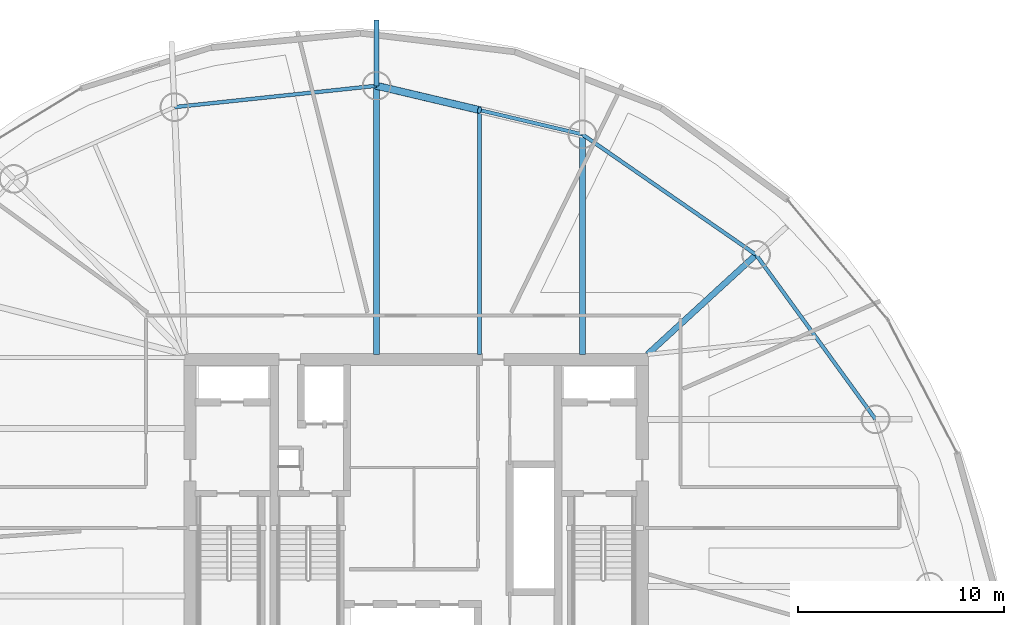
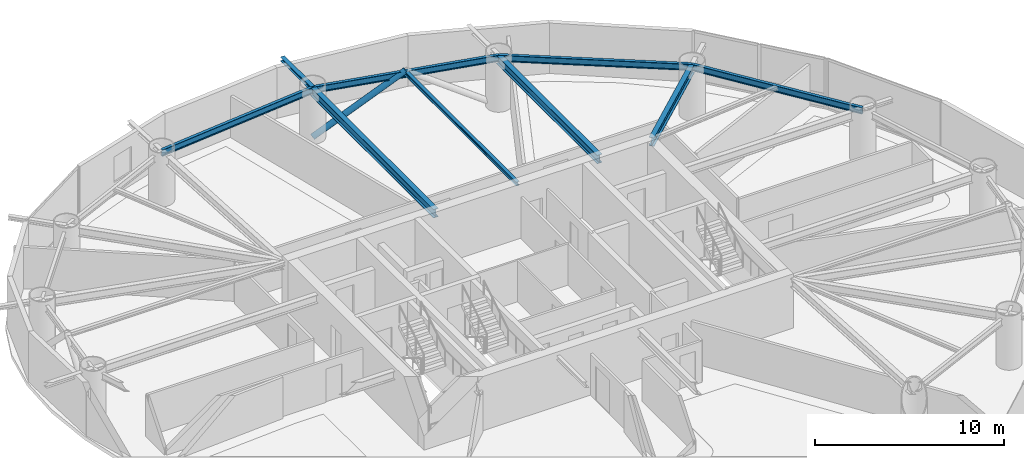
# One storey, part 10 of 20: 9 beams, 1 member.
"""IFC4 building model written with IfcOpenShell, lengths in metres."""

import ifcopenshell
import ifcopenshell.guid

model = None  # the IFC model being written
_history = None  # IfcOwnerHistory: only IFC2X3 demands one
_inside = {}  # id of a spatial element -> (the spatial element, [elements in it])
_under = {}  # id of a project, library or spatial element -> (it, [spatial elements below it])
_declared = {}  # id of a project -> (the project, [libraries it declares])
_typed = {}  # id of a type object -> (the type object, [elements of that type])
_made_of = {}  # id of a material, layer set ... -> (it, [elements and type objects made of it])


def new_model(schema):
    """Start an empty IFC model of exactly this schema.

    Asked for "IFC4X3", IfcOpenShell would pick the latest addendum, in which some entities
    have other attributes; the version numbers below select the first issue.
    IFC2X3 requires an IfcOwnerHistory on every rooted entity: one is made here for all.
    """
    global model, _history
    if schema == "IFC4X3":
        model = ifcopenshell.file(schema_version=(4, 3, 0, 0))
    else:
        model = ifcopenshell.file(schema=schema)
    _inside.clear()
    _under.clear()
    _declared.clear()
    _typed.clear()
    _made_of.clear()
    _history = None
    if model.schema == "IFC2X3":
        org = make("IfcOrganization", Name="unknown")
        user = make(
            "IfcPersonAndOrganization",
            ThePerson=make("IfcPerson", FamilyName="unknown"),
            TheOrganization=org,
        )
        app = make(
            "IfcApplication",
            ApplicationDeveloper=org,
            Version="unknown",
            ApplicationFullName="unknown",
            ApplicationIdentifier="unknown",
        )
        _history = make(
            "IfcOwnerHistory",
            OwningUser=user,
            OwningApplication=app,
            ChangeAction="ADDED",
            CreationDate=0,
        )
    return model


def make(cls, **values):
    """One entity of the class cls with the attributes given. An attribute that is None is left unset."""
    return model.create_entity(
        cls, **{name: value for name, value in values.items() if value is not None}
    )


def rooted(cls, **values):
    """An entity with a GlobalId (a new one), such as an element, a storey or a relation."""
    return make(cls, GlobalId=ifcopenshell.guid.new(), OwnerHistory=_history, **values)


def si_unit(unit_type, name, prefix=None):
    """IfcSIUnit, for example si_unit("LENGTHUNIT", "METRE", prefix="MILLI")."""
    return make("IfcSIUnit", UnitType=unit_type, Prefix=prefix, Name=name)


def assignment(units):
    """IfcUnitAssignment: the units of a project."""
    return None if units is None else make("IfcUnitAssignment", Units=units)


def point(xyz):
    """IfcCartesianPoint."""
    return None if xyz is None else make("IfcCartesianPoint", Coordinates=xyz)


def direction(xyz):
    """IfcDirection."""
    return None if xyz is None else make("IfcDirection", DirectionRatios=xyz)


def frame(location, z_axis=None, x_axis=None):
    """IfcAxis2Placement3D, a coordinate frame: its origin and axes. An axis left out is left unset."""
    return make(
        "IfcAxis2Placement3D",
        Location=point(location),
        Axis=direction(z_axis),
        RefDirection=direction(x_axis),
    )


def frame_2d(location, x_axis=None):
    """IfcAxis2Placement2D, a coordinate frame in the plane: its origin and x axis."""
    return make(
        "IfcAxis2Placement2D", Location=point(location), RefDirection=direction(x_axis)
    )


def origin():
    """The frame at (0, 0, 0) with its axes left unset."""
    return frame((0.0, 0.0, 0.0))


def origin_2d():
    """The frame at (0, 0) in the plane with its x axis left unset."""
    return frame_2d((0.0, 0.0))


def place(relative_to, where):
    """IfcLocalPlacement: puts the frame where relative to a parent placement (None: the world)."""
    return make(
        "IfcLocalPlacement", PlacementRelTo=relative_to, RelativePlacement=where
    )


def context(
    kind, dimensions, precision=None, world=None, true_north=None, identifier=None
):
    """IfcGeometricRepresentationContext, for example the 3D "Model" context."""
    return make(
        "IfcGeometricRepresentationContext",
        ContextIdentifier=identifier,
        ContextType=kind,
        CoordinateSpaceDimension=dimensions,
        Precision=precision,
        WorldCoordinateSystem=world,
        TrueNorth=true_north,
    )


def subcontext(parent, identifier, kind, view, scale=None):
    """IfcGeometricRepresentationSubContext, for example "Body" below "Model"."""
    return make(
        "IfcGeometricRepresentationSubContext",
        ContextIdentifier=identifier,
        ContextType=kind,
        ParentContext=parent,
        TargetScale=scale,
        TargetView=view,
    )


def project(units=None, contexts=None):
    """IfcProject with its units and contexts."""
    return rooted(
        "IfcProject",
        Name="project",
        RepresentationContexts=contexts,
        UnitsInContext=assignment(units),
    )


def spatial(cls, under=None, at=None, **own):
    """A site, building, storey or space (cls), placed at a placement, below another one or the project."""
    s = rooted(cls, ObjectPlacement=at, **own)
    if under is not None:
        _under.setdefault(under.id(), (under, []))[1].append(s)
    return s


def profile(cls, at=None, kind="AREA", **sizes):
    """A parametric profile (cls). Its sizes go by their IFC names, for example OverallWidth=200.0."""
    return make(cls, ProfileType=kind, Position=at, **sizes)


def hollow_circle(**sizes):
    """IfcCircleHollowProfileDef."""
    return profile("IfcCircleHollowProfileDef", **sizes)


def i_section(**sizes):
    """IfcIShapeProfileDef."""
    return profile("IfcIShapeProfileDef", **sizes)


def extrude(swept, where, along, depth):
    """IfcExtrudedAreaSolid: the profile swept, set in the frame where, extruded along a direction by depth."""
    return make(
        "IfcExtrudedAreaSolid",
        SweptArea=swept,
        Position=where,
        ExtrudedDirection=direction(along),
        Depth=depth,
    )


def shape(context_of_items, identifier, shape_type, items):
    """IfcShapeRepresentation: the items that make up one representation, for example the "Body"."""
    return make(
        "IfcShapeRepresentation",
        ContextOfItems=context_of_items,
        RepresentationIdentifier=identifier,
        RepresentationType=shape_type,
        Items=items,
    )


def material(Name=None, Category=None):
    """IfcMaterial."""
    return make("IfcMaterial", Name=Name, Category=Category)


def material_profile(
    of_material, cross_section, Name=None, Category=None, Priority=None
):
    """IfcMaterialProfile: a cross section and its material."""
    return make(
        "IfcMaterialProfile",
        Name=Name,
        Material=of_material,
        Profile=cross_section,
        Priority=Priority,
        Category=Category,
    )


def profile_set(profiles, Name=None, composite=None):
    """IfcMaterialProfileSet."""
    return make(
        "IfcMaterialProfileSet",
        Name=Name,
        MaterialProfiles=profiles,
        CompositeProfile=composite,
    )


def made_of(thing, what):
    """Note that an element or type object is made of a material, layer set ...; save() writes the relation."""
    if what is not None:
        _made_of.setdefault(what.id(), (what, []))[1].append(thing)
    return thing


def type_object(cls, material=None, **own):
    """A type object (cls), such as IfcWallType, which elements share."""
    return made_of(rooted(cls, **own), material)


def element(
    cls,
    number,
    at=None,
    inside=None,
    cuts=None,
    type_object=None,
    material=None,
    context=None,
    identifier="Body",
    shape_type=None,
    held_by="IfcProductDefinitionShape",
    body=None,
    shapes=None,
    **own,
):
    """One element of the class cls, such as IfcWall. Its Tag is "e" and its number.

    at: its placement. inside: the storey or other place that contains it. cuts: it is an
    opening in that element (IfcRelVoidsElement). A single representation is given by context,
    identifier, shape_type and body (its items); several are given by shapes. held_by: the class
    of the entity that holds the representations. save() writes the other relations.
    """
    e = rooted(cls, Tag="e%d" % number, ObjectPlacement=at, **own)
    if body is not None:
        shapes = [shape(context, identifier, shape_type, body)]
    if shapes is not None:
        e.Representation = make(held_by, Representations=shapes)
    if inside is not None:
        _inside.setdefault(inside.id(), (inside, []))[1].append(e)
    if cuts is not None:
        rooted(
            "IfcRelVoidsElement", RelatingBuildingElement=cuts, RelatedOpeningElement=e
        )
    if type_object is not None:
        _typed.setdefault(type_object.id(), (type_object, []))[1].append(e)
    return made_of(e, material)


def aggregate(whole, parts):
    """IfcRelAggregates: a whole, such as a stair, and the parts it consists of."""
    return rooted("IfcRelAggregates", RelatingObject=whole, RelatedObjects=parts)


def save(model, path):
    """Write the relations noted so far, then the file.

    IfcRelAggregates (storeys below a building ...), IfcRelContainedInSpatialStructure (elements
    in a storey), IfcRelDefinesByType, IfcRelAssociatesMaterial and IfcRelDeclares: one each for
    every whole, place, type object, material and project.
    """
    for whole, parts in _under.values():
        aggregate(whole, parts)
    for where, things in _inside.values():
        rooted(
            "IfcRelContainedInSpatialStructure",
            RelatedElements=things,
            RelatingStructure=where,
        )
    for kind, things in _typed.values():
        rooted("IfcRelDefinesByType", RelatedObjects=things, RelatingType=kind)
    for what, things in _made_of.values():
        rooted("IfcRelAssociatesMaterial", RelatedObjects=things, RelatingMaterial=what)
    for by, libraries in _declared.values():
        rooted("IfcRelDeclares", RelatingContext=by, RelatedDefinitions=libraries)
    model.write(path)


model = new_model("IFC4")

# Units and contexts
model_context = context("Model", 3, precision=1e-05, world=origin(), true_north=direction((0.0, 1.0)))
body_context = subcontext(model_context, "Body", "Model", "MODEL_VIEW")
ifc_project = project(units=[si_unit("LENGTHUNIT", "METRE"), si_unit("AREAUNIT", "SQUARE_METRE"), si_unit("VOLUMEUNIT", "CUBIC_METRE"), si_unit("PLANEANGLEUNIT", "RADIAN"), si_unit("MASSUNIT", "GRAM", prefix="KILO")], contexts=[model_context])

# Site, building, storey
site_placement = place(None, origin())
site = spatial("IfcSite", under=ifc_project, at=site_placement, CompositionType="ELEMENT")
building_placement = place(site_placement, origin())
building = spatial("IfcBuilding", under=site, at=building_placement, Name="Bramvorn Convention Spire", CompositionType="ELEMENT")
storey_placement = place(building_placement, frame((0.0, 0.0, 144.800048828125)))
storey = spatial("IfcBuildingStorey", under=building, at=storey_placement, Name="L36", CompositionType="ELEMENT", Elevation=144.800048828125)

# Beams
ifc_material = material(Name="Steel CSA G40.21 Grade 350 (350W)", Category="steel")
ifc_material_profile_1 = material_profile(ifc_material, i_section(OverallWidth=0.201904296875, OverallDepth=0.2470703125, WebThickness=0.00732421875, FlangeThickness=0.010986328125, FilletRadius=0.011962890625, at=origin_2d()))
ifc_profile_set_1 = profile_set([ifc_material_profile_1], Name="Steel CSA G40.21 Grade 350 (350W) - W250X49")
beam_type_1 = type_object("IfcBeamType", Name="BM-W250X49", PredefinedType="JOIST", material=ifc_profile_set_1)
beam_1_placement = place(storey_placement, frame((41.079345703125, 33.449951171875, 3.136474609375), z_axis=(0.0, 1.0, 0.0), x_axis=(-1.0, 0.0, 0.0)))
element("IfcBeam", 1, at=beam_1_placement, inside=storey, type_object=beam_type_1, Name="L36 composite floor joist 05", PredefinedType="JOIST", context=body_context, shape_type="SweptSolid", body=[
    extrude(i_section(OverallWidth=0.201904296875, OverallDepth=0.2470703125, WebThickness=0.00732421875, FlangeThickness=0.010986328125, FilletRadius=0.011962890625, at=origin_2d()), origin(), (0.0, 0.0, 1.0), 11.8857421875),
])
ifc_material_profile_2 = material_profile(ifc_material, i_section(OverallWidth=0.25390625, OverallDepth=0.2529296875, WebThickness=0.008544921875, FlangeThickness=0.01416015625, FilletRadius=0.011962890625, at=origin_2d()))
ifc_profile_set_2 = profile_set([ifc_material_profile_2], Name="Steel CSA G40.21 Grade 350 (350W) - W250X73")
beam_type_2 = type_object("IfcBeamType", Name="BM-W250X73", PredefinedType="BEAM", material=ifc_profile_set_2)
beam_2_placement = place(storey_placement, frame((36.075927734375, 46.517333984375, 3.133544921875), z_axis=(0.0, 1.0, 0.0), x_axis=(-1.0, 0.0, 0.0)))
element("IfcBeam", 2, at=beam_2_placement, inside=storey, type_object=beam_type_2, Name="L36 slab-edge cantilever tip beam MC06", PredefinedType="BEAM", context=body_context, shape_type="SweptSolid", body=[
    extrude(i_section(OverallWidth=0.25390625, OverallDepth=0.2529296875, WebThickness=0.008544921875, FlangeThickness=0.01416015625, FilletRadius=0.011962890625, at=origin_2d()), origin(), (0.0, 0.0, 1.0), 3.199951171875),
])
ifc_material_profile_3 = material_profile(ifc_material, i_section(OverallWidth=0.180908203125, OverallDepth=0.4169921875, WebThickness=0.010986328125, FlangeThickness=0.018310546875, FilletRadius=0.01611328125, at=origin_2d()))
ifc_profile_set_3 = profile_set([ifc_material_profile_3], Name="Steel CSA G40.21 Grade 350 (350W) - W410X85")
beam_type_3 = type_object("IfcBeamType", Name="BM-W410X85", PredefinedType="JOIST", material=ifc_profile_set_3)
beam_3_placement = place(storey_placement, frame((60.345703125, 30.293212890625, 3.051513671875), z_axis=(-0.587401024629, 0.809296012757, 0.0), x_axis=(-0.809296012757, -0.587401024629, 0.0)))
element("IfcBeam", 3, at=beam_3_placement, inside=storey, type_object=beam_type_3, Name="L36 mega-column ring beam 03", PredefinedType="JOIST", context=body_context, shape_type="SweptSolid", body=[
    extrude(i_section(OverallWidth=0.180908203125, OverallDepth=0.4169921875, WebThickness=0.010986328125, FlangeThickness=0.018310546875, FilletRadius=0.01611328125, at=origin_2d()), origin(), (0.0, 0.0, 1.0), 9.892333984375),
])
beam_4_placement = place(storey_placement, frame((54.534912109375, 38.299072265625, 3.051513671875), z_axis=(-0.822033166673, 0.569439613032, 0.0), x_axis=(-0.569439613032, -0.822033166673, 0.0)))
element("IfcBeam", 4, at=beam_4_placement, inside=storey, type_object=beam_type_3, Name="L36 mega-column ring beam 04", PredefinedType="JOIST", context=body_context, shape_type="SweptSolid", body=[
    extrude(i_section(OverallWidth=0.180908203125, OverallDepth=0.4169921875, WebThickness=0.010986328125, FlangeThickness=0.018310546875, FilletRadius=0.01611328125, at=origin_2d()), origin(), (0.0, 0.0, 1.0), 10.281982421875),
])
beam_5_placement = place(storey_placement, frame((46.082763671875, 44.154052734375, 3.051513671875), z_axis=(-0.97322750491, 0.229843911572, 0.0), x_axis=(-0.229843911572, -0.97322750491, 0.0)))
element("IfcBeam", 5, at=beam_5_placement, inside=storey, type_object=beam_type_3, Name="L36 mega-column ring beam 05", PredefinedType="JOIST", context=body_context, shape_type="SweptSolid", body=[
    extrude(i_section(OverallWidth=0.180908203125, OverallDepth=0.4169921875, WebThickness=0.010986328125, FlangeThickness=0.018310546875, FilletRadius=0.01611328125, at=origin_2d()), origin(), (0.0, 0.0, 1.0), 10.2822265625),
])
beam_6_placement = place(storey_placement, frame((36.075927734375, 46.517333984375, 3.051513671875), z_axis=(-0.994473491975, -0.104987969596, 0.0), x_axis=(0.104987969596, -0.994473491975, 0.0)))
element("IfcBeam", 6, at=beam_6_placement, inside=storey, type_object=beam_type_3, Name="L36 mega-column ring beam 06", PredefinedType="JOIST", context=body_context, shape_type="SweptSolid", body=[
    extrude(i_section(OverallWidth=0.180908203125, OverallDepth=0.4169921875, WebThickness=0.010986328125, FlangeThickness=0.018310546875, FilletRadius=0.01611328125, at=origin_2d()), origin(), (0.0, 0.0, 1.0), 9.892333984375),
])
ifc_material_profile_4 = material_profile(ifc_material, i_section(OverallWidth=0.2919921875, OverallDepth=0.551025390625, WebThickness=0.01513671875, FlangeThickness=0.0244140625, FilletRadius=0.01904296875, at=origin_2d()))
ifc_profile_set_4 = profile_set([ifc_material_profile_4], Name="Steel CSA G40.21 Grade 350 (350W) - W530X182")
beam_type_4 = type_object("IfcBeamType", Name="BM-W530X182", PredefinedType="BEAM", material=ifc_profile_set_4)
beam_7_placement = place(storey_placement, frame((49.25, 33.449951171875, 2.984375), z_axis=(0.736833323746, 0.676074443399, 0.0), x_axis=(-0.676074443399, 0.736833323746, 0.0)))
element("IfcBeam", 7, at=beam_7_placement, inside=storey, type_object=beam_type_4, Name="L36 radial floor girder MC04", PredefinedType="BEAM", context=body_context, shape_type="SweptSolid", body=[
    extrude(i_section(OverallWidth=0.2919921875, OverallDepth=0.551025390625, WebThickness=0.01513671875, FlangeThickness=0.0244140625, FilletRadius=0.01904296875, at=origin_2d()), origin(), (0.0, 0.0, 1.0), 7.17236328125),
])
beam_8_placement = place(storey_placement, frame((46.082763671875, 33.449951171875, 2.984375), z_axis=(0.0, 1.0, 0.0), x_axis=(-1.0, 0.0, 0.0)))
element("IfcBeam", 8, at=beam_8_placement, inside=storey, type_object=beam_type_4, Name="L36 radial floor girder MC05", PredefinedType="BEAM", context=body_context, shape_type="SweptSolid", body=[
    extrude(i_section(OverallWidth=0.2919921875, OverallDepth=0.551025390625, WebThickness=0.01513671875, FlangeThickness=0.0244140625, FilletRadius=0.01904296875, at=origin_2d()), origin(), (0.0, 0.0, 1.0), 10.7041015625),
])
beam_9_placement = place(storey_placement, frame((36.075927734375, 33.449951171875, 2.984375), z_axis=(0.0, 1.0, 0.0), x_axis=(-1.0, 0.0, 0.0)))
element("IfcBeam", 9, at=beam_9_placement, inside=storey, type_object=beam_type_4, Name="L36 radial floor girder MC06", PredefinedType="BEAM", context=body_context, shape_type="SweptSolid", body=[
    extrude(i_section(OverallWidth=0.2919921875, OverallDepth=0.551025390625, WebThickness=0.01513671875, FlangeThickness=0.0244140625, FilletRadius=0.01904296875, at=origin_2d()), origin(), (0.0, 0.0, 1.0), 13.0673828125),
])

# Member
ifc_material_profile_5 = material_profile(ifc_material, hollow_circle(Radius=0.177734375, WallThickness=0.015869140625, at=origin_2d()))
ifc_profile_set_5 = profile_set([ifc_material_profile_5], Name="Steel CSA G40.21 Grade 350 (350W) - CHS356X16")
member_type = type_object("IfcMemberType", Name="MBR-CHS356X16", PredefinedType="BRACE", material=ifc_profile_set_5)
member_placement = place(storey_placement, frame((36.075927734375, 46.517333984375, 0.0), z_axis=(0.82191146009, -0.194108103193, 0.53552179792), x_axis=(0.229843911572, 0.97322750491, 0.0)))
element("IfcMember", 10, at=member_placement, inside=storey, type_object=member_type, Name="L36 perimeter Gothic lancet brace 5B", PredefinedType="BRACE", context=body_context, shape_type="SweptSolid", body=[
    extrude(hollow_circle(Radius=0.177734375, WallThickness=0.015869140625, at=origin_2d()), origin(), (0.0, 0.0, 1.0), 6.087646484375),
])

save(model, "model.ifc")
